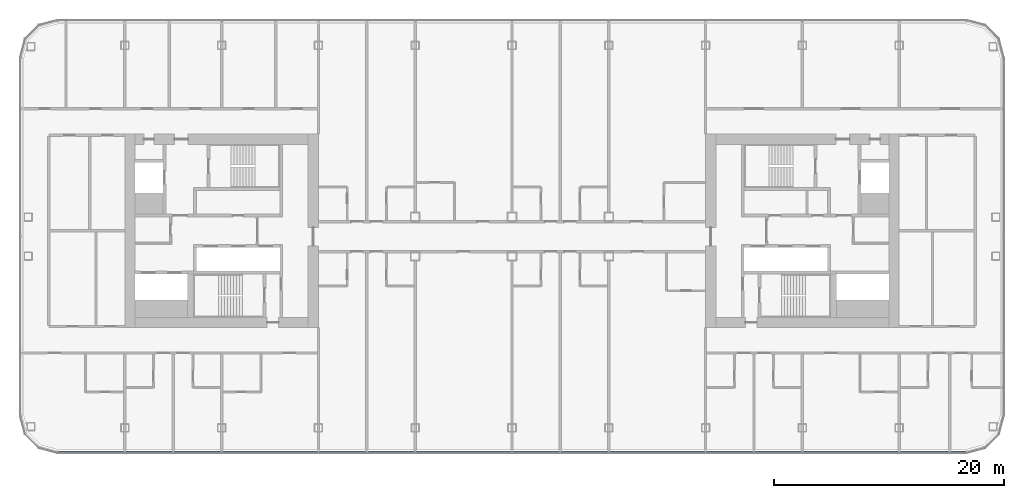
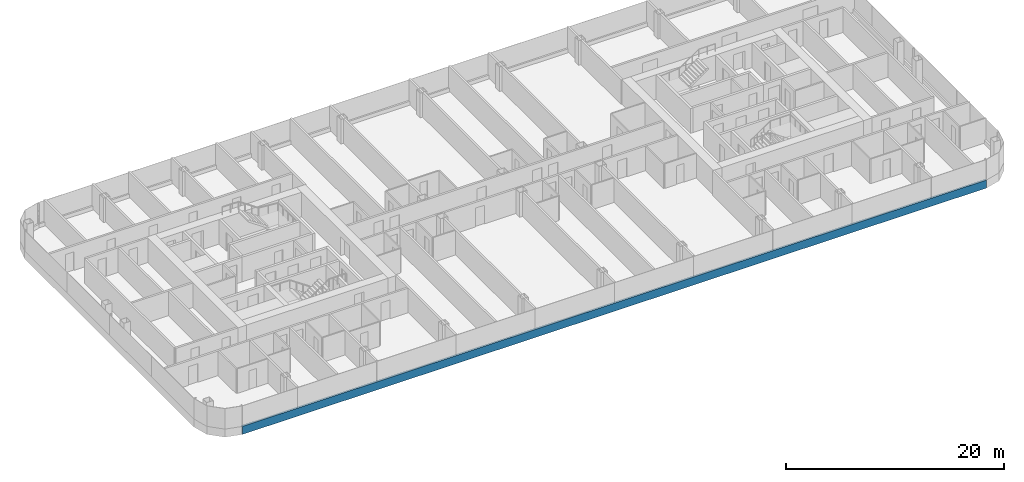
# One storey, part 4 of 26: 1 member, 1 element without a shape of its own.
"""IFC4 building model written with IfcOpenShell, lengths in metres."""

from ifc_helpers import new_model, si_unit, direction, frame, origin, origin_2d, place, context, subcontext, project, spatial, rectangle, extrude, material, layer, layer_set, material_profile, profile_set, type_object, element, aggregate, save


model = new_model("IFC4")

# Units and contexts
model_context = context("Model", 3, precision=1e-05, world=origin(), true_north=direction((0.0, 1.0)))
body_context = subcontext(model_context, "Body", "Model", "MODEL_VIEW")
ifc_project = project(units=[si_unit("LENGTHUNIT", "METRE"), si_unit("AREAUNIT", "SQUARE_METRE"), si_unit("VOLUMEUNIT", "CUBIC_METRE"), si_unit("PLANEANGLEUNIT", "RADIAN"), si_unit("MASSUNIT", "GRAM", prefix="KILO")], contexts=[model_context])

# Site, building, storey
site_placement = place(None, origin())
site = spatial("IfcSite", under=ifc_project, at=site_placement, CompositionType="ELEMENT")
building_placement = place(site_placement, origin())
building = spatial("IfcBuilding", under=site, at=building_placement, Name="Hakoniwa Tower and Hamabe Station Hall", CompositionType="ELEMENT")
storey_placement = place(building_placement, frame((0.0, 0.0, 140.60009765625)))
storey = spatial("IfcBuildingStorey", under=building, at=storey_placement, Name="L39", CompositionType="ELEMENT", Elevation=140.60009765625)

# Curtain wall, member
ifc_material_1 = material(Name="Dark low-e laminated glass", Category="glass")
ifc_layer = layer(ifc_material_1, 0.199951171875)
ifc_layer_set = layer_set([ifc_layer], Name="CW-1 UNITISED GUEST")
curtain_wall_type = type_object("IfcCurtainWallType", Name="CW-1 UNITISED GUEST", PredefinedType="NOTDEFINED", material=ifc_layer_set)
curtain_wall_placement = place(storey_placement, origin())
curtain_wall = element("IfcCurtainWall", 1, at=curtain_wall_placement, inside=storey, type_object=curtain_wall_type, Name="CW-1 curtain wall", PredefinedType="NOTDEFINED")
ifc_material_2 = material(Name="Aluminium 6063-T5 black anodised", Category="aluminium")
ifc_material_profile = material_profile(ifc_material_2, rectangle(XDim=0.199951171875, YDim=0.89990234375, at=origin_2d()), Name="CW SLAB-EDGE BAND 900X200")
ifc_profile_set = profile_set([ifc_material_profile], Name="Aluminium 6063-T5 black anodised")
member_type = type_object("IfcMemberType", Name="CW SLAB-EDGE BAND 900X200", PredefinedType="USERDEFINED", material=ifc_profile_set)
member_placement = place(storey_placement, frame((-39.439453125, -19.199951171875, -0.10009765625), z_axis=(1.0, 0.0, 0.0), x_axis=(0.0, 1.0, 0.0)))
member = element("IfcMember", 2, at=member_placement, type_object=member_type, Name="CW-1 transom", ObjectType="TRANSOM", PredefinedType="USERDEFINED", context=body_context, shape_type="SweptSolid", body=[
    extrude(rectangle(XDim=0.199951171875, YDim=0.89990234375, at=origin_2d()), origin(), (0.0, 0.0, 1.0), 78.87890625),
])
aggregate(curtain_wall, [member])

save(model, "model.ifc")
